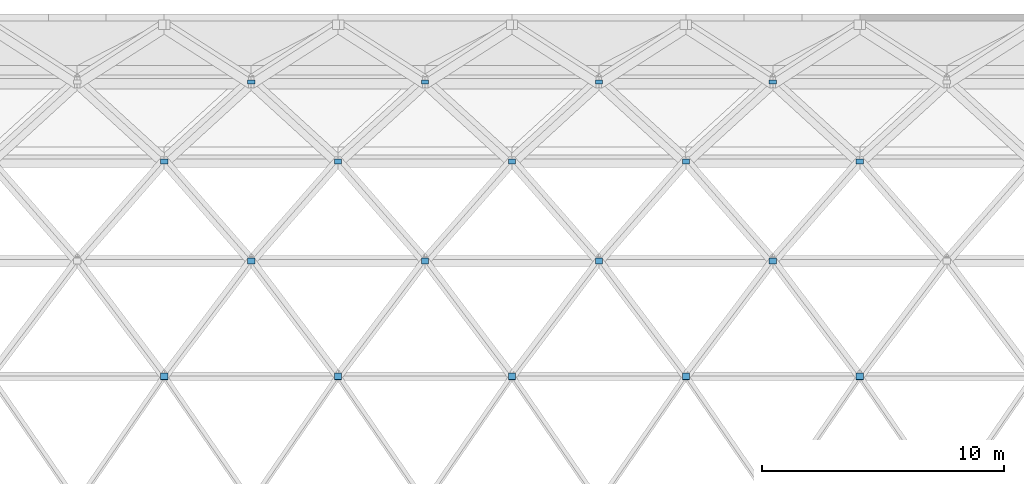
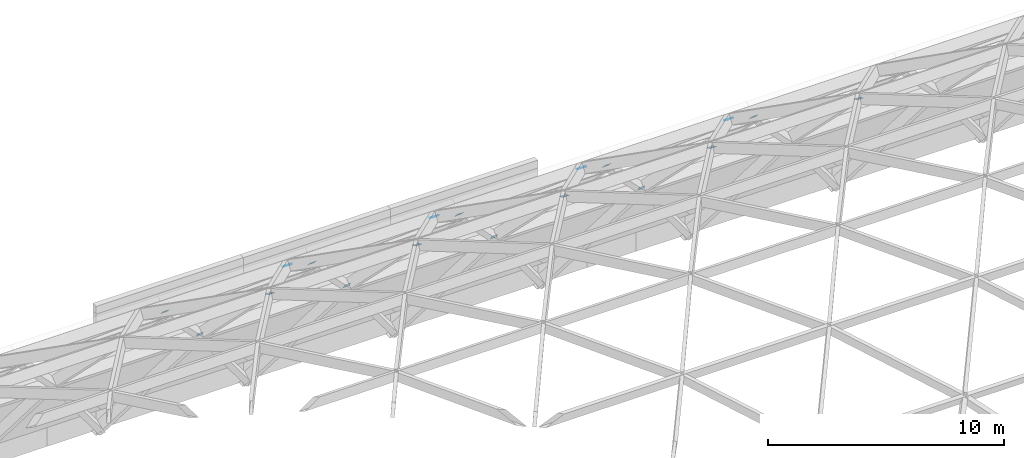
# One storey, part 44 of 52: 18 discrete accessories.
"""IFC4 building model written with IfcOpenShell, lengths in metres."""

from ifc_helpers import new_model, si_unit, direction, frame, origin, origin_2d, place, context, subcontext, project, spatial, rectangle, extrude, material, material_profile, profile_set, type_object, element, save


model = new_model("IFC4")

# Units and contexts
model_context = context("Model", 3, precision=1e-05, world=origin(), true_north=direction((0.0, 1.0)))
body_context = subcontext(model_context, "Body", "Model", "MODEL_VIEW")
ifc_project = project(units=[si_unit("LENGTHUNIT", "METRE"), si_unit("AREAUNIT", "SQUARE_METRE"), si_unit("VOLUMEUNIT", "CUBIC_METRE"), si_unit("PLANEANGLEUNIT", "RADIAN"), si_unit("MASSUNIT", "GRAM", prefix="KILO")], contexts=[model_context])

# Site, building, storey
site_placement = place(None, origin())
site = spatial("IfcSite", under=ifc_project, at=site_placement, CompositionType="ELEMENT")
building_placement = place(site_placement, origin())
building = spatial("IfcBuilding", under=site, at=building_placement, Name="Vermilion Court Aquatics Centre", CompositionType="ELEMENT")
storey_placement = place(building_placement, frame((0.0, 0.0, 12.0)))
storey = spatial("IfcBuildingStorey", under=building, at=storey_placement, Name="L02", CompositionType="ELEMENT", Elevation=12.0)

# Discrete accessories
ifc_material = material(Name="Stainless steel 1.4547, 1.4529 or 1.4565", Category="steel")
ifc_material_profile = material_profile(ifc_material, rectangle(XDim=0.300048828125, YDim=0.300048828125, at=origin_2d()), Name="PL 12 x 300 x 300")
ifc_profile_set = profile_set([ifc_material_profile], Name="Stainless steel 1.4547, 1.4529 or 1.4565")
discrete_accessory_type = type_object("IfcDiscreteAccessoryType", Name="Gridshell node plate", PredefinedType="BRACKET", material=ifc_profile_set)
for number, where, z_axis, x_axis, name in (
    (1, (64.800048828125, 50.297607421875, 16.00146484375), (0.0, 0.406138466053, 0.91381154862), (-1.0, 0.0, 0.0), "Gridshell node plate NP1 08-07"),
    (2, (72.0, 50.297607421875, 16.00146484375), (0.0, 0.406138466053, 0.91381154862), (-1.0, 0.0, 0.0), "Gridshell node plate NP1 08-08"),
    (3, (79.199951171875, 50.297607421875, 16.00146484375), (0.0, 0.406138466053, 0.91381154862), (-1.0, 0.0, 0.0), "Gridshell node plate NP1 08-09"),
    (4, (86.39990234375, 50.297607421875, 16.00146484375), (0.0, 0.406138466053, 0.91381154862), (-1.0, 0.0, 0.0), "Gridshell node plate NP1 08-10"),
    (5, (93.60009765625, 50.297607421875, 16.00146484375), (0.0, 0.406138466053, 0.91381154862), (-1.0, 0.0, 0.0), "Gridshell node plate NP1 08-11"),
    (6, (68.39990234375, 55.076416015625, 13.2861328125), (0.0, 0.586967571461, 0.809610443394), (-1.0, 0.0, 0.0), "Gridshell node plate NP1 09-08"),
    (7, (75.60009765625, 55.076416015625, 13.2861328125), (0.0, 0.586967571461, 0.809610443394), (-1.0, 0.0, 0.0), "Gridshell node plate NP1 09-09"),
    (8, (82.800048828125, 55.076416015625, 13.2861328125), (0.0, 0.586967571461, 0.809610443394), (-1.0, 0.0, 0.0), "Gridshell node plate NP1 09-10"),
    (9, (90.0, 55.076416015625, 13.2861328125), (0.0, 0.586967571461, 0.809610443394), (-1.0, 0.0, 0.0), "Gridshell node plate NP1 09-11"),
    (10, (64.800048828125, 59.195556640625, 9.64794921875), (0.0, 0.737154140201, 0.675724628517), (-1.0, 0.0, 0.0), "Gridshell node plate NP1 10-07"),
    (11, (72.0, 59.195556640625, 9.64794921875), (0.0, 0.737154140201, 0.675724628517), (-1.0, 0.0, 0.0), "Gridshell node plate NP1 10-08"),
    (12, (79.199951171875, 59.195556640625, 9.64794921875), (0.0, 0.737154140201, 0.675724628517), (-1.0, 0.0, 0.0), "Gridshell node plate NP1 10-09"),
    (13, (86.39990234375, 59.195556640625, 9.64794921875), (0.0, 0.737154140201, 0.675724628517), (-1.0, 0.0, 0.0), "Gridshell node plate NP1 10-10"),
    (14, (93.60009765625, 59.195556640625, 9.64794921875), (0.0, 0.737154140201, 0.675724628517), (-1.0, 0.0, 0.0), "Gridshell node plate NP1 10-11"),
    (15, (68.39990234375, 62.48486328125, 5.23583984375), (0.0, 0.850265146688, 0.526354614616), (-1.0, 0.0, 0.0), "Gridshell node plate NP1 11-08"),
    (16, (75.60009765625, 62.48486328125, 5.23583984375), (0.0, 0.850265146688, 0.526354614616), (-1.0, 0.0, 0.0), "Gridshell node plate NP1 11-09"),
    (17, (82.800048828125, 62.48486328125, 5.23583984375), (0.0, 0.850265146688, 0.526354614616), (-1.0, 0.0, 0.0), "Gridshell node plate NP1 11-10"),
    (18, (90.0, 62.48486328125, 5.23583984375), (0.0, 0.850265146688, 0.526354614616), (-1.0, 0.0, 0.0), "Gridshell node plate NP1 11-11"),
):
    element("IfcDiscreteAccessory", number, at=place(storey_placement, frame(where, z_axis=z_axis, x_axis=x_axis)), inside=storey, type_object=discrete_accessory_type, Name=name, PredefinedType="BRACKET", context=body_context, shape_type="SweptSolid", body=[
        extrude(rectangle(XDim=0.300048828125, YDim=0.300048828125, at=origin_2d()), origin(), (0.0, 0.0, 1.0), 0.011962890625),
    ])

save(model, "model.ifc")
